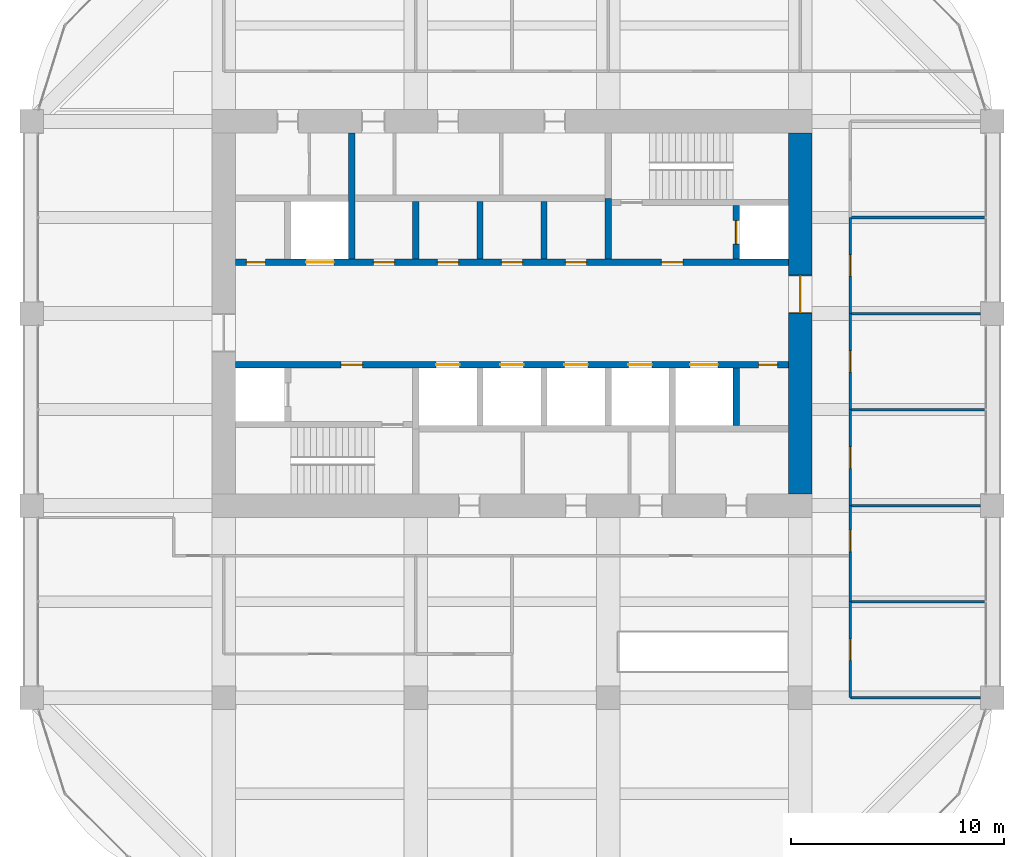
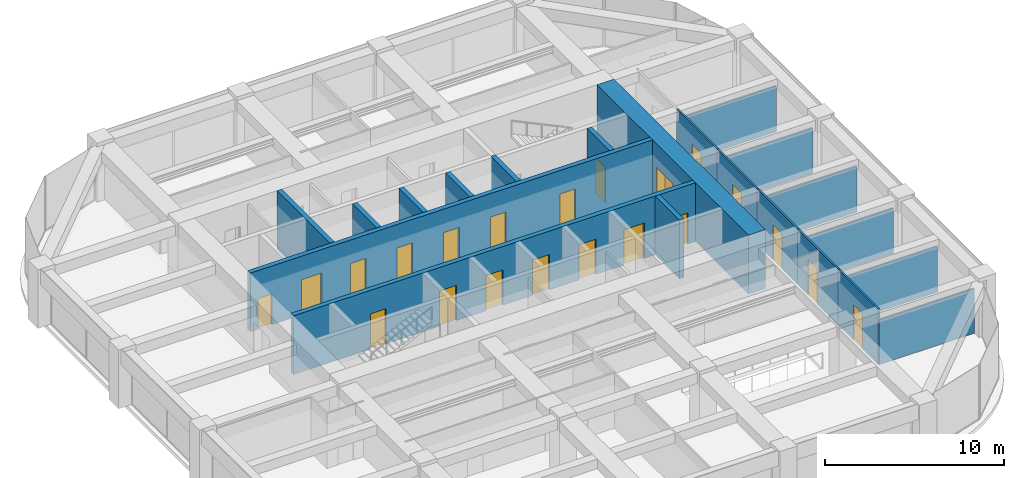
# One storey, part 42 of 44: 21 doors, 21 walls, 21 openings.
"""IFC4 building model written with IfcOpenShell, lengths in metres."""

from ifc_helpers import new_model, si_unit, direction, frame, frame_2d, origin, place, context, subcontext, project, spatial, rectangle, extrude, material, layer, layer_set, type_object, element, fill, save


model = new_model("IFC4")

# Units and contexts
model_context = context("Model", 3, precision=1e-05, world=origin(), true_north=direction((0.0, 1.0)))
body_context = subcontext(model_context, "Body", "Model", "MODEL_VIEW")
ifc_project = project(units=[si_unit("LENGTHUNIT", "METRE"), si_unit("AREAUNIT", "SQUARE_METRE"), si_unit("VOLUMEUNIT", "CUBIC_METRE"), si_unit("PLANEANGLEUNIT", "RADIAN"), si_unit("MASSUNIT", "GRAM", prefix="KILO")], contexts=[model_context])

# Site, building, storey
site_placement = place(None, origin())
site = spatial("IfcSite", under=ifc_project, at=site_placement, CompositionType="ELEMENT")
building_placement = place(site_placement, origin())
building = spatial("IfcBuilding", under=site, at=building_placement, Name="Zorevar Civic Tower", CompositionType="ELEMENT")
storey_placement = place(building_placement, frame((0.0, 0.0, 255.39990234375)))
storey = spatial("IfcBuildingStorey", under=building, at=storey_placement, Name="L62", CompositionType="ELEMENT", Elevation=255.39990234375)

# Wall, opening, door
ifc_material_1 = material(Name="Concrete C50/60", Category="concrete")
ifc_layer_1 = layer(ifc_material_1, 1.10009765625)
ifc_layer_set_1 = layer_set([ifc_layer_1], Name="Core wall 1100")
wall_type_1 = type_object("IfcWallType", Name="Core wall 1100", PredefinedType="SHEAR", material=ifc_layer_set_1)
wall_1_placement = place(storey_placement, frame((45.0, 18.550048828125, 0.0), z_axis=(0.0, 0.0, 1.0), x_axis=(0.0, 1.0, 0.0)))
wall_1 = element("IfcWall", 1, at=wall_1_placement, inside=storey, type_object=wall_type_1, Name="Core wall E L62", PredefinedType="SHEAR", context=body_context, shape_type="SweptSolid", body=[
    extrude(rectangle(XDim=16.89990234375, YDim=1.10009765625, at=frame_2d((8.449951171875, 0.0))), origin(), (0.0, 0.0, 1.0), 4.0),
])
opening_1_placement = place(wall_1_placement, frame((8.449951171875, 0.0, 0.0)))
opening_1 = element("IfcOpeningElement", 2, at=opening_1_placement, cuts=wall_1, Name="Opening L62.02", PredefinedType="OPENING", context=body_context, shape_type="SweptSolid", body=[
    extrude(rectangle(XDim=1.800048828125, YDim=2.39990234375, at=frame_2d((0.89990234375, 1.199951171875))), frame((0.0, 0.56005859375, 0.0), z_axis=(0.0, -1.0, 0.0), x_axis=(1.0, 0.0, 0.0)), (0.0, 0.0, 1.0), 1.1201171875),
])
ifc_material_2 = material(Name="Steel door set", Category="steel")
door_type_1 = type_object("IfcDoorType", Name="Fire door FD2 1800x2400", OperationType="DOUBLE_DOOR_DOUBLE_SWING", PredefinedType="DOOR", material=ifc_material_2)
door_1_placement = place(opening_1_placement, origin())
door_1 = element("IfcDoor", 3, at=door_1_placement, inside=storey, type_object=door_type_1, Name="Door L62 01", OperationType="DOUBLE_DOOR_DOUBLE_SWING", OverallHeight=2.39990234375, OverallWidth=1.800048828125, PredefinedType="DOOR", context=body_context, shape_type="SweptSolid", body=[
    extrude(rectangle(XDim=1.800048828125, YDim=2.39990234375, at=frame_2d((0.89990234375, 1.199951171875))), frame((0.0, 0.030029296875, 0.0), z_axis=(0.0, -1.0, 0.0), x_axis=(1.0, 0.0, 0.0)), (0.0, 0.0, 1.0), 0.06005859375),
    extrude(rectangle(XDim=0.04, YDim=2.39990234375, at=frame_2d((0.02001953125, 1.199951171875))), frame((0.0, 0.5498046875, 0.0), z_axis=(0.0, -1.0, 0.0), x_axis=(1.0, 0.0, 0.0)), (0.0, 0.0, 1.0), 1.099609375),
    extrude(rectangle(XDim=0.04, YDim=2.39990234375, at=frame_2d((1.780029296875, 1.199951171875))), frame((0.0, 0.5498046875, 0.0), z_axis=(0.0, -1.0, 0.0), x_axis=(1.0, 0.0, 0.0)), (0.0, 0.0, 1.0), 1.099609375),
    extrude(rectangle(XDim=1.800048828125, YDim=0.04, at=frame_2d((0.89990234375, 2.3798828125))), frame((0.0, 0.5498046875, 0.0), z_axis=(0.0, -1.0, 0.0), x_axis=(1.0, 0.0, 0.0)), (0.0, 0.0, 1.0), 1.099609375),
])
fill(opening_1, door_1)

ifc_material_3 = material(Name="Concrete C40/50", Category="concrete")
ifc_layer_2 = layer(ifc_material_3, 0.300048828125)
ifc_layer_set_2 = layer_set([ifc_layer_2], Name="Inner core wall 300")
wall_type_2 = type_object("IfcWallType", Name="Inner core wall 300", PredefinedType="SHEAR", material=ifc_layer_set_2)
wall_2_placement = place(storey_placement, frame((42.0, 29.550048828125, 0.0), z_axis=(0.0, 0.0, 1.0), x_axis=(0.0, 1.0, 0.0)))
wall_2 = element("IfcWall", 4, at=wall_2_placement, inside=storey, type_object=wall_type_2, Name="Inner core wall N02 L62", PredefinedType="SHEAR", context=body_context, shape_type="SweptSolid", body=[
    extrude(rectangle(XDim=2.5, YDim=0.300048828125, at=frame_2d((1.25, 0.0))), origin(), (0.0, 0.0, 1.0), 4.0),
])
opening_2_placement = place(wall_2_placement, frame((0.699951171875, 0.0, 0.0)))
opening_2 = element("IfcOpeningElement", 5, at=opening_2_placement, cuts=wall_2, Name="Opening L62.FL2", PredefinedType="OPENING", context=body_context, shape_type="SweptSolid", body=[
    extrude(rectangle(XDim=1.10009765625, YDim=2.39990234375, at=frame_2d((0.550048828125, 1.199951171875))), frame((0.0, 0.159912109375, 0.0), z_axis=(0.0, -1.0, 0.0), x_axis=(1.0, 0.0, 0.0)), (0.0, 0.0, 1.0), 0.320068359375),
])
ifc_material_4 = material(Name="Steel door set", Category="steel")
door_type_2 = type_object("IfcDoorType", Name="Firefighting lift landing door LD3 1100x2400", OperationType="DOUBLE_DOOR_SLIDING", PredefinedType="DOOR", material=ifc_material_4)
door_2_placement = place(opening_2_placement, origin())
door_2 = element("IfcDoor", 6, at=door_2_placement, inside=storey, type_object=door_type_2, Name="Landing door FL2 L62", OperationType="DOUBLE_DOOR_SLIDING", OverallHeight=2.39990234375, OverallWidth=1.10009765625, PredefinedType="DOOR", context=body_context, shape_type="SweptSolid", body=[
    extrude(rectangle(XDim=1.10009765625, YDim=2.39990234375, at=frame_2d((0.550048828125, 1.199951171875))), frame((0.0, 0.030029296875, 0.0), z_axis=(0.0, -1.0, 0.0), x_axis=(1.0, 0.0, 0.0)), (0.0, 0.0, 1.0), 0.06005859375),
])
fill(opening_2, door_2)

# Wall, openings, doors
wall_3_placement = place(storey_placement, frame((18.550048828125, 24.60009765625, 0.0), z_axis=(0.0, 0.0, 1.0), x_axis=(1.0, 0.0, 0.0)))
wall_3 = element("IfcWall", 7, at=wall_3_placement, inside=storey, type_object=wall_type_2, Name="Inner core wall S03 L62", PredefinedType="SHEAR", context=body_context, shape_type="SweptSolid", body=[
    extrude(rectangle(XDim=25.89990234375, YDim=0.300048828125, at=frame_2d((12.949951171875, 0.0))), origin(), (0.0, 0.0, 1.0), 4.0),
])
opening_3_placement = place(wall_3_placement, frame((4.949951171875, 0.0, 0.0)))
opening_3 = element("IfcOpeningElement", 8, at=opening_3_placement, cuts=wall_3, Name="Opening L62.13", PredefinedType="OPENING", context=body_context, shape_type="SweptSolid", body=[
    extrude(rectangle(XDim=1.0, YDim=2.39990234375, at=frame_2d((0.5, 1.199951171875))), frame((0.0, 0.159912109375, 0.0), z_axis=(0.0, -1.0, 0.0), x_axis=(1.0, 0.0, 0.0)), (0.0, 0.0, 1.0), 0.320068359375),
])
opening_4_placement = place(wall_3_placement, frame((24.5, 0.0, 0.0)))
opening_4 = element("IfcOpeningElement", 9, at=opening_4_placement, cuts=wall_3, Name="Opening L62.15", PredefinedType="OPENING", context=body_context, shape_type="SweptSolid", body=[
    extrude(rectangle(XDim=0.89990234375, YDim=2.10009765625, at=frame_2d((0.449951171875, 1.050048828125))), frame((0.0, 0.159912109375, 0.0), z_axis=(0.0, -1.0, 0.0), x_axis=(1.0, 0.0, 0.0)), (0.0, 0.0, 1.0), 0.320068359375),
])
opening_5_placement = place(wall_3_placement, frame((9.39990234375, 0.0, 0.0)))
opening_5 = element("IfcOpeningElement", 10, at=opening_5_placement, cuts=wall_3, Name="Opening L62.LT1", PredefinedType="OPENING", context=body_context, shape_type="SweptSolid", body=[
    extrude(rectangle(XDim=1.10009765625, YDim=2.39990234375, at=frame_2d((0.550048828125, 1.199951171875))), frame((0.0, 0.159912109375, 0.0), z_axis=(0.0, -1.0, 0.0), x_axis=(1.0, 0.0, 0.0)), (0.0, 0.0, 1.0), 0.320068359375),
])
opening_6_placement = place(wall_3_placement, frame((12.39990234375, 0.0, 0.0)))
opening_6 = element("IfcOpeningElement", 11, at=opening_6_placement, cuts=wall_3, Name="Opening L62.LT2", PredefinedType="OPENING", context=body_context, shape_type="SweptSolid", body=[
    extrude(rectangle(XDim=1.10009765625, YDim=2.39990234375, at=frame_2d((0.550048828125, 1.199951171875))), frame((0.0, 0.159912109375, 0.0), z_axis=(0.0, -1.0, 0.0), x_axis=(1.0, 0.0, 0.0)), (0.0, 0.0, 1.0), 0.320068359375),
])
opening_7_placement = place(wall_3_placement, frame((15.39990234375, 0.0, 0.0)))
opening_7 = element("IfcOpeningElement", 12, at=opening_7_placement, cuts=wall_3, Name="Opening L62.LT3", PredefinedType="OPENING", context=body_context, shape_type="SweptSolid", body=[
    extrude(rectangle(XDim=1.10009765625, YDim=2.39990234375, at=frame_2d((0.550048828125, 1.199951171875))), frame((0.0, 0.159912109375, 0.0), z_axis=(0.0, -1.0, 0.0), x_axis=(1.0, 0.0, 0.0)), (0.0, 0.0, 1.0), 0.320068359375),
])
opening_8_placement = place(wall_3_placement, frame((18.39990234375, 0.0, 0.0)))
opening_8 = element("IfcOpeningElement", 13, at=opening_8_placement, cuts=wall_3, Name="Opening L62.LT4", PredefinedType="OPENING", context=body_context, shape_type="SweptSolid", body=[
    extrude(rectangle(XDim=1.10009765625, YDim=2.39990234375, at=frame_2d((0.550048828125, 1.199951171875))), frame((0.0, 0.159912109375, 0.0), z_axis=(0.0, -1.0, 0.0), x_axis=(1.0, 0.0, 0.0)), (0.0, 0.0, 1.0), 0.320068359375),
])
opening_9_placement = place(wall_3_placement, frame((21.300048828125, 0.0, 0.0)))
opening_9 = element("IfcOpeningElement", 14, at=opening_9_placement, cuts=wall_3, Name="Opening L62.SL1", PredefinedType="OPENING", context=body_context, shape_type="SweptSolid", body=[
    extrude(rectangle(XDim=1.300048828125, YDim=2.39990234375, at=frame_2d((0.64990234375, 1.199951171875))), frame((0.0, 0.159912109375, 0.0), z_axis=(0.0, -1.0, 0.0), x_axis=(1.0, 0.0, 0.0)), (0.0, 0.0, 1.0), 0.320068359375),
])
ifc_material_5 = material(Name="Steel door set", Category="steel")
door_type_3 = type_object("IfcDoorType", Name="Fire door FD1 1000x2400", OperationType="SINGLE_SWING_LEFT", PredefinedType="DOOR", material=ifc_material_5)
door_3_placement = place(opening_3_placement, origin())
door_3 = element("IfcDoor", 15, at=door_3_placement, inside=storey, type_object=door_type_3, Name="Door L62 12", OperationType="SINGLE_SWING_RIGHT", OverallHeight=2.39990234375, OverallWidth=1.0, PredefinedType="DOOR", context=body_context, shape_type="SweptSolid", body=[
    extrude(rectangle(XDim=1.0, YDim=2.39990234375, at=frame_2d((0.5, 1.199951171875))), frame((0.0, 0.030029296875, 0.0), z_axis=(0.0, -1.0, 0.0), x_axis=(1.0, 0.0, 0.0)), (0.0, 0.0, 1.0), 0.06005859375),
])
fill(opening_3, door_3)
ifc_material_6 = material(Name="Steel door set", Category="steel")
door_type_4 = type_object("IfcDoorType", Name="Landing door LD1 1100x2400", OperationType="DOUBLE_DOOR_SLIDING", PredefinedType="DOOR", material=ifc_material_6)
door_4_placement = place(opening_5_placement, origin())
door_4 = element("IfcDoor", 16, at=door_4_placement, inside=storey, type_object=door_type_4, Name="Landing door LT1 L62", OperationType="DOUBLE_DOOR_SLIDING", OverallHeight=2.39990234375, OverallWidth=1.10009765625, PredefinedType="DOOR", context=body_context, shape_type="SweptSolid", body=[
    extrude(rectangle(XDim=1.10009765625, YDim=2.39990234375, at=frame_2d((0.550048828125, 1.199951171875))), frame((0.0, 0.02001953125, 0.0), z_axis=(0.0, -1.0, 0.0), x_axis=(1.0, 0.0, 0.0)), (0.0, 0.0, 1.0), 0.0400390625),
])
fill(opening_5, door_4)
door_5_placement = place(opening_6_placement, origin())
door_5 = element("IfcDoor", 17, at=door_5_placement, inside=storey, type_object=door_type_4, Name="Landing door LT2 L62", OperationType="DOUBLE_DOOR_SLIDING", OverallHeight=2.39990234375, OverallWidth=1.10009765625, PredefinedType="DOOR", context=body_context, shape_type="SweptSolid", body=[
    extrude(rectangle(XDim=1.10009765625, YDim=2.39990234375, at=frame_2d((0.550048828125, 1.199951171875))), frame((0.0, 0.02001953125, 0.0), z_axis=(0.0, -1.0, 0.0), x_axis=(1.0, 0.0, 0.0)), (0.0, 0.0, 1.0), 0.0400390625),
])
fill(opening_6, door_5)
door_6_placement = place(opening_7_placement, origin())
door_6 = element("IfcDoor", 18, at=door_6_placement, inside=storey, type_object=door_type_4, Name="Landing door LT3 L62", OperationType="DOUBLE_DOOR_SLIDING", OverallHeight=2.39990234375, OverallWidth=1.10009765625, PredefinedType="DOOR", context=body_context, shape_type="SweptSolid", body=[
    extrude(rectangle(XDim=1.10009765625, YDim=2.39990234375, at=frame_2d((0.550048828125, 1.199951171875))), frame((0.0, 0.02001953125, 0.0), z_axis=(0.0, -1.0, 0.0), x_axis=(1.0, 0.0, 0.0)), (0.0, 0.0, 1.0), 0.0400390625),
])
fill(opening_7, door_6)
door_7_placement = place(opening_8_placement, origin())
door_7 = element("IfcDoor", 19, at=door_7_placement, inside=storey, type_object=door_type_4, Name="Landing door LT4 L62", OperationType="DOUBLE_DOOR_SLIDING", OverallHeight=2.39990234375, OverallWidth=1.10009765625, PredefinedType="DOOR", context=body_context, shape_type="SweptSolid", body=[
    extrude(rectangle(XDim=1.10009765625, YDim=2.39990234375, at=frame_2d((0.550048828125, 1.199951171875))), frame((0.0, 0.02001953125, 0.0), z_axis=(0.0, -1.0, 0.0), x_axis=(1.0, 0.0, 0.0)), (0.0, 0.0, 1.0), 0.0400390625),
])
fill(opening_8, door_7)
ifc_material_7 = material(Name="Steel door set", Category="steel")
door_type_5 = type_object("IfcDoorType", Name="Landing door LD2 1300x2400", OperationType="DOUBLE_DOOR_SLIDING", PredefinedType="DOOR", material=ifc_material_7)
door_8_placement = place(opening_9_placement, origin())
door_8 = element("IfcDoor", 20, at=door_8_placement, inside=storey, type_object=door_type_5, Name="Landing door SL1 L62", OperationType="DOUBLE_DOOR_SLIDING", OverallHeight=2.39990234375, OverallWidth=1.300048828125, PredefinedType="DOOR", context=body_context, shape_type="SweptSolid", body=[
    extrude(rectangle(XDim=1.300048828125, YDim=2.39990234375, at=frame_2d((0.64990234375, 1.199951171875))), frame((0.0, 0.02001953125, 0.0), z_axis=(0.0, -1.0, 0.0), x_axis=(1.0, 0.0, 0.0)), (0.0, 0.0, 1.0), 0.0400390625),
])
fill(opening_9, door_8)
ifc_material_8 = material(Name="Steel door set", Category="steel")
door_type_6 = type_object("IfcDoorType", Name="Riser door RD1 900x2100", OperationType="SINGLE_SWING_LEFT", PredefinedType="DOOR", material=ifc_material_8)
door_9_placement = place(opening_4_placement, origin())
door_9 = element("IfcDoor", 21, at=door_9_placement, inside=storey, type_object=door_type_6, Name="Door L62 14", OperationType="SINGLE_SWING_RIGHT", OverallHeight=2.10009765625, OverallWidth=0.89990234375, PredefinedType="DOOR", context=body_context, shape_type="SweptSolid", body=[
    extrude(rectangle(XDim=0.89990234375, YDim=2.10009765625, at=frame_2d((0.449951171875, 1.050048828125))), frame((0.0, 0.030029296875, 0.0), z_axis=(0.0, -1.0, 0.0), x_axis=(1.0, 0.0, 0.0)), (0.0, 0.0, 1.0), 0.06005859375),
])
fill(opening_4, door_9)

wall_4_placement = place(storey_placement, frame((18.550048828125, 29.39990234375, 0.0), z_axis=(0.0, 0.0, 1.0), x_axis=(1.0, 0.0, 0.0)))
wall_4 = element("IfcWall", 22, at=wall_4_placement, inside=storey, type_object=wall_type_2, Name="Inner core wall N03 L62", PredefinedType="SHEAR", context=body_context, shape_type="SweptSolid", body=[
    extrude(rectangle(XDim=25.89990234375, YDim=0.300048828125, at=frame_2d((12.949951171875, 0.0))), origin(), (0.0, 0.0, 1.0), 4.0),
])
opening_10_placement = place(wall_4_placement, frame((19.949951171875, 0.0, 0.0)))
opening_10 = element("IfcOpeningElement", 23, at=opening_10_placement, cuts=wall_4, Name="Opening L62.14", PredefinedType="OPENING", context=body_context, shape_type="SweptSolid", body=[
    extrude(rectangle(XDim=1.0, YDim=2.39990234375, at=frame_2d((0.5, 1.199951171875))), frame((0.0, 0.159912109375, 0.0), z_axis=(0.0, -1.0, 0.0), x_axis=(1.0, 0.0, 0.0)), (0.0, 0.0, 1.0), 0.320068359375),
])
opening_11_placement = place(wall_4_placement, frame((0.5, 0.0, 0.0)))
opening_11 = element("IfcOpeningElement", 24, at=opening_11_placement, cuts=wall_4, Name="Opening L62.16", PredefinedType="OPENING", context=body_context, shape_type="SweptSolid", body=[
    extrude(rectangle(XDim=0.89990234375, YDim=2.10009765625, at=frame_2d((0.449951171875, 1.050048828125))), frame((0.0, 0.159912109375, 0.0), z_axis=(0.0, -1.0, 0.0), x_axis=(1.0, 0.0, 0.0)), (0.0, 0.0, 1.0), 0.320068359375),
])
opening_12_placement = place(wall_4_placement, frame((15.449951171875, 0.0, 0.0)))
opening_12 = element("IfcOpeningElement", 25, at=opening_12_placement, cuts=wall_4, Name="Opening L62.33", PredefinedType="OPENING", context=body_context, shape_type="SweptSolid", body=[
    extrude(rectangle(XDim=1.0, YDim=2.39990234375, at=frame_2d((0.5, 1.199951171875))), frame((0.0, 0.159912109375, 0.0), z_axis=(0.0, -1.0, 0.0), x_axis=(1.0, 0.0, 0.0)), (0.0, 0.0, 1.0), 0.320068359375),
])
opening_13_placement = place(wall_4_placement, frame((12.449951171875, 0.0, 0.0)))
opening_13 = element("IfcOpeningElement", 26, at=opening_13_placement, cuts=wall_4, Name="Opening L62.34", PredefinedType="OPENING", context=body_context, shape_type="SweptSolid", body=[
    extrude(rectangle(XDim=1.0, YDim=2.39990234375, at=frame_2d((0.5, 1.199951171875))), frame((0.0, 0.159912109375, 0.0), z_axis=(0.0, -1.0, 0.0), x_axis=(1.0, 0.0, 0.0)), (0.0, 0.0, 1.0), 0.320068359375),
])
opening_14_placement = place(wall_4_placement, frame((9.449951171875, 0.0, 0.0)))
opening_14 = element("IfcOpeningElement", 27, at=opening_14_placement, cuts=wall_4, Name="Opening L62.35", PredefinedType="OPENING", context=body_context, shape_type="SweptSolid", body=[
    extrude(rectangle(XDim=1.0, YDim=2.39990234375, at=frame_2d((0.5, 1.199951171875))), frame((0.0, 0.159912109375, 0.0), z_axis=(0.0, -1.0, 0.0), x_axis=(1.0, 0.0, 0.0)), (0.0, 0.0, 1.0), 0.320068359375),
])
opening_15_placement = place(wall_4_placement, frame((6.449951171875, 0.0, 0.0)))
opening_15 = element("IfcOpeningElement", 28, at=opening_15_placement, cuts=wall_4, Name="Opening L62.36", PredefinedType="OPENING", context=body_context, shape_type="SweptSolid", body=[
    extrude(rectangle(XDim=1.0, YDim=2.39990234375, at=frame_2d((0.5, 1.199951171875))), frame((0.0, 0.159912109375, 0.0), z_axis=(0.0, -1.0, 0.0), x_axis=(1.0, 0.0, 0.0)), (0.0, 0.0, 1.0), 0.320068359375),
])
opening_16_placement = place(wall_4_placement, frame((3.300048828125, 0.0, 0.0)))
opening_16 = element("IfcOpeningElement", 29, at=opening_16_placement, cuts=wall_4, Name="Opening L62.SL2", PredefinedType="OPENING", context=body_context, shape_type="SweptSolid", body=[
    extrude(rectangle(XDim=1.300048828125, YDim=2.39990234375, at=frame_2d((0.64990234375, 1.199951171875))), frame((0.0, 0.159912109375, 0.0), z_axis=(0.0, -1.0, 0.0), x_axis=(1.0, 0.0, 0.0)), (0.0, 0.0, 1.0), 0.320068359375),
])
door_10_placement = place(opening_10_placement, origin())
door_10 = element("IfcDoor", 30, at=door_10_placement, inside=storey, type_object=door_type_3, Name="Door L62 13", OperationType="SINGLE_SWING_RIGHT", OverallHeight=2.39990234375, OverallWidth=1.0, PredefinedType="DOOR", context=body_context, shape_type="SweptSolid", body=[
    extrude(rectangle(XDim=1.0, YDim=2.39990234375, at=frame_2d((0.5, 1.199951171875))), frame((0.0, 0.030029296875, 0.0), z_axis=(0.0, -1.0, 0.0), x_axis=(1.0, 0.0, 0.0)), (0.0, 0.0, 1.0), 0.06005859375),
])
fill(opening_10, door_10)
door_11_placement = place(opening_12_placement, origin())
door_11 = element("IfcDoor", 31, at=door_11_placement, inside=storey, type_object=door_type_3, Name="Door L62 LM1 shaft room", OperationType="SINGLE_SWING_LEFT", OverallHeight=2.39990234375, OverallWidth=1.0, PredefinedType="DOOR", context=body_context, shape_type="SweptSolid", body=[
    extrude(rectangle(XDim=1.0, YDim=2.39990234375, at=frame_2d((0.5, 1.199951171875))), frame((0.0, 0.030029296875, 0.0), z_axis=(0.0, -1.0, 0.0), x_axis=(1.0, 0.0, 0.0)), (0.0, 0.0, 1.0), 0.06005859375),
])
fill(opening_12, door_11)
door_12_placement = place(opening_13_placement, origin())
door_12 = element("IfcDoor", 32, at=door_12_placement, inside=storey, type_object=door_type_3, Name="Door L62 LM2 shaft room", OperationType="SINGLE_SWING_LEFT", OverallHeight=2.39990234375, OverallWidth=1.0, PredefinedType="DOOR", context=body_context, shape_type="SweptSolid", body=[
    extrude(rectangle(XDim=1.0, YDim=2.39990234375, at=frame_2d((0.5, 1.199951171875))), frame((0.0, 0.030029296875, 0.0), z_axis=(0.0, -1.0, 0.0), x_axis=(1.0, 0.0, 0.0)), (0.0, 0.0, 1.0), 0.06005859375),
])
fill(opening_13, door_12)
door_13_placement = place(opening_14_placement, origin())
door_13 = element("IfcDoor", 33, at=door_13_placement, inside=storey, type_object=door_type_3, Name="Door L62 LH1 shaft room", OperationType="SINGLE_SWING_RIGHT", OverallHeight=2.39990234375, OverallWidth=1.0, PredefinedType="DOOR", context=body_context, shape_type="SweptSolid", body=[
    extrude(rectangle(XDim=1.0, YDim=2.39990234375, at=frame_2d((0.5, 1.199951171875))), frame((0.0, 0.030029296875, 0.0), z_axis=(0.0, -1.0, 0.0), x_axis=(1.0, 0.0, 0.0)), (0.0, 0.0, 1.0), 0.06005859375),
])
fill(opening_14, door_13)
door_14_placement = place(opening_15_placement, origin())
door_14 = element("IfcDoor", 34, at=door_14_placement, inside=storey, type_object=door_type_3, Name="Door L62 LH2 shaft room", OperationType="SINGLE_SWING_RIGHT", OverallHeight=2.39990234375, OverallWidth=1.0, PredefinedType="DOOR", context=body_context, shape_type="SweptSolid", body=[
    extrude(rectangle(XDim=1.0, YDim=2.39990234375, at=frame_2d((0.5, 1.199951171875))), frame((0.0, 0.030029296875, 0.0), z_axis=(0.0, -1.0, 0.0), x_axis=(1.0, 0.0, 0.0)), (0.0, 0.0, 1.0), 0.06005859375),
])
fill(opening_15, door_14)
door_15_placement = place(opening_16_placement, origin())
door_15 = element("IfcDoor", 35, at=door_15_placement, inside=storey, type_object=door_type_5, Name="Landing door SL2 L62", OperationType="DOUBLE_DOOR_SLIDING", OverallHeight=2.39990234375, OverallWidth=1.300048828125, PredefinedType="DOOR", context=body_context, shape_type="SweptSolid", body=[
    extrude(rectangle(XDim=1.300048828125, YDim=2.39990234375, at=frame_2d((0.64990234375, 1.199951171875))), frame((0.0, 0.02001953125, 0.0), z_axis=(0.0, -1.0, 0.0), x_axis=(1.0, 0.0, 0.0)), (0.0, 0.0, 1.0), 0.0400390625),
])
fill(opening_16, door_15)
door_16_placement = place(opening_11_placement, origin())
door_16 = element("IfcDoor", 36, at=door_16_placement, inside=storey, type_object=door_type_6, Name="Door L62 15", OperationType="SINGLE_SWING_RIGHT", OverallHeight=2.10009765625, OverallWidth=0.89990234375, PredefinedType="DOOR", context=body_context, shape_type="SweptSolid", body=[
    extrude(rectangle(XDim=0.89990234375, YDim=2.10009765625, at=frame_2d((0.449951171875, 1.050048828125))), frame((0.0, 0.030029296875, 0.0), z_axis=(0.0, -1.0, 0.0), x_axis=(1.0, 0.0, 0.0)), (0.0, 0.0, 1.0), 0.06005859375),
])
fill(opening_11, door_16)

# Walls
for number, where, z_axis, x_axis, name in (
    (37, (33.0, 29.550048828125, 0.0), (0.0, 0.0, 1.0), (0.0, 1.0, 0.0), "Inner core wall N05 L62"),
    (38, (30.0, 29.550048828125, 0.0), (0.0, 0.0, 1.0), (0.0, 1.0, 0.0), "Inner core wall N06 L62"),
    (39, (27.0, 29.550048828125, 0.0), (0.0, 0.0, 1.0), (0.0, 1.0, 0.0), "Inner core wall N07 L62"),
):
    element("IfcWall", number, at=place(storey_placement, frame(where, z_axis=z_axis, x_axis=x_axis)), inside=storey, type_object=wall_type_2, Name=name, PredefinedType="SHEAR", context=body_context, shape_type="SweptSolid", body=[
        extrude(rectangle(XDim=2.699951171875, YDim=0.300048828125, at=frame_2d((1.35009765625, 0.0))), origin(), (0.0, 0.0, 1.0), 4.0),
    ])
wall_5_placement = place(storey_placement, frame((24.0, 29.550048828125, 0.0), z_axis=(0.0, 0.0, 1.0), x_axis=(0.0, 1.0, 0.0)))
element("IfcWall", 40, at=wall_5_placement, inside=storey, type_object=wall_type_2, Name="Inner core wall N08 L62", PredefinedType="SHEAR", context=body_context, shape_type="SweptSolid", body=[
    extrude(rectangle(XDim=5.89990234375, YDim=0.300048828125, at=frame_2d((2.949951171875, 0.0))), origin(), (0.0, 0.0, 1.0), 4.0),
])
wall_6_placement = place(storey_placement, frame((42.0, 21.75, 0.0), z_axis=(0.0, 0.0, 1.0), x_axis=(0.0, 1.0, 0.0)))
element("IfcWall", 41, at=wall_6_placement, inside=storey, type_object=wall_type_2, Name="Inner core wall S09 L62", PredefinedType="SHEAR", context=body_context, shape_type="SweptSolid", body=[
    extrude(rectangle(XDim=2.699951171875, YDim=0.300048828125, at=frame_2d((1.35009765625, 0.0))), origin(), (0.0, 0.0, 1.0), 4.0),
])
wall_7_placement = place(storey_placement, frame((36.0, 29.550048828125, 0.0), z_axis=(0.0, 0.0, 1.0), x_axis=(0.0, 1.0, 0.0)))
element("IfcWall", 42, at=wall_7_placement, inside=storey, type_object=wall_type_2, Name="Inner core wall N10 L62", PredefinedType="SHEAR", context=body_context, shape_type="SweptSolid", body=[
    extrude(rectangle(XDim=2.849853515625, YDim=0.300048828125, at=frame_2d((1.4248046875, 0.0))), origin(), (0.0, 0.0, 1.0), 4.0),
])
ifc_material_9 = material(Name="Gypsum board on steel studs", Category="steel")
ifc_layer_3 = layer(ifc_material_9, 0.1201171875)
ifc_layer_set_3 = layer_set([ifc_layer_3], Name="Partition 120")
wall_type_3 = type_object("IfcWallType", Name="Partition 120", PredefinedType="PARTITIONING", material=ifc_layer_set_3)
wall_8_placement = place(storey_placement, frame((47.35009765625, 9.0, 0.0), z_axis=(0.0, 0.0, 1.0), x_axis=(1.0, 0.0, 0.0)))
element("IfcWall", 43, at=wall_8_placement, inside=storey, type_object=wall_type_3, Name="Partition 120 L62", PredefinedType="PARTITIONING", context=body_context, shape_type="SweptSolid", body=[
    extrude(rectangle(XDim=6.099853515625, YDim=0.1201171875, at=frame_2d((3.0498046875, 0.0))), origin(), (0.0, 0.0, 1.0), 3.050048828125),
])
wall_9_placement = place(storey_placement, frame((47.35009765625, 13.5, 0.0), z_axis=(0.0, 0.0, 1.0), x_axis=(1.0, 0.0, 0.0)))
element("IfcWall", 44, at=wall_9_placement, inside=storey, type_object=wall_type_3, Name="Partition 120 L62", PredefinedType="PARTITIONING", context=body_context, shape_type="SweptSolid", body=[
    extrude(rectangle(XDim=6.33984375, YDim=0.1201171875, at=frame_2d((3.169921875, 0.0))), origin(), (0.0, 0.0, 1.0), 3.10009765625),
])
wall_10_placement = place(storey_placement, frame((47.35009765625, 18.0, 0.0), z_axis=(0.0, 0.0, 1.0), x_axis=(1.0, 0.0, 0.0)))
element("IfcWall", 45, at=wall_10_placement, inside=storey, type_object=wall_type_3, Name="Partition 120 L62", PredefinedType="PARTITIONING", context=body_context, shape_type="SweptSolid", body=[
    extrude(rectangle(XDim=6.099853515625, YDim=0.1201171875, at=frame_2d((3.0498046875, 0.0))), origin(), (0.0, 0.0, 1.0), 3.050048828125),
])
wall_11_placement = place(storey_placement, frame((47.35009765625, 22.5, 0.0), z_axis=(0.0, 0.0, 1.0), x_axis=(1.0, 0.0, 0.0)))
element("IfcWall", 46, at=wall_11_placement, inside=storey, type_object=wall_type_3, Name="Partition 120 L62", PredefinedType="PARTITIONING", context=body_context, shape_type="SweptSolid", body=[
    extrude(rectangle(XDim=6.33984375, YDim=0.1201171875, at=frame_2d((3.169921875, 0.0))), origin(), (0.0, 0.0, 1.0), 3.10009765625),
])
wall_12_placement = place(storey_placement, frame((47.35009765625, 27.0, 0.0), z_axis=(0.0, 0.0, 1.0), x_axis=(1.0, 0.0, 0.0)))
element("IfcWall", 47, at=wall_12_placement, inside=storey, type_object=wall_type_3, Name="Partition 120 L62", PredefinedType="PARTITIONING", context=body_context, shape_type="SweptSolid", body=[
    extrude(rectangle(XDim=6.099853515625, YDim=0.1201171875, at=frame_2d((3.0498046875, 0.0))), origin(), (0.0, 0.0, 1.0), 3.050048828125),
])
wall_13_placement = place(storey_placement, frame((47.35009765625, 31.5, 0.0), z_axis=(0.0, 0.0, 1.0), x_axis=(1.0, 0.0, 0.0)))
element("IfcWall", 48, at=wall_13_placement, inside=storey, type_object=wall_type_3, Name="Partition 120 L62", PredefinedType="PARTITIONING", context=body_context, shape_type="SweptSolid", body=[
    extrude(rectangle(XDim=6.33984375, YDim=0.1201171875, at=frame_2d((3.169921875, 0.0))), origin(), (0.0, 0.0, 1.0), 3.10009765625),
])

# Wall, opening, door
wall_14_placement = place(storey_placement, frame((47.35009765625, 9.0, 0.0), z_axis=(0.0, 0.0, 1.0), x_axis=(0.0, 1.0, 0.0)))
wall_14 = element("IfcWall", 49, at=wall_14_placement, inside=storey, type_object=wall_type_3, Name="Partition 120 L62", PredefinedType="PARTITIONING", context=body_context, shape_type="SweptSolid", body=[
    extrude(rectangle(XDim=4.5, YDim=0.1201171875, at=frame_2d((2.25, 0.0))), origin(), (0.0, 0.0, 1.0), 3.75),
])
opening_17_placement = place(wall_14_placement, frame((1.75, 0.0, 0.0)))
opening_17 = element("IfcOpeningElement", 50, at=opening_17_placement, cuts=wall_14, Name="Opening L62.26", PredefinedType="OPENING", context=body_context, shape_type="SweptSolid", body=[
    extrude(rectangle(XDim=1.0, YDim=2.39990234375, at=frame_2d((0.5, 1.199951171875))), frame((0.0, 0.070068359375, 0.0), z_axis=(0.0, -1.0, 0.0), x_axis=(1.0, 0.0, 0.0)), (0.0, 0.0, 1.0), 0.14013671875),
])
ifc_material_10 = material(Name="Timber door set", Category="wood")
door_type_7 = type_object("IfcDoorType", Name="Door D1 1000x2400", OperationType="SINGLE_SWING_LEFT", PredefinedType="DOOR", material=ifc_material_10)
door_17_placement = place(opening_17_placement, origin())
door_17 = element("IfcDoor", 51, at=door_17_placement, inside=storey, type_object=door_type_7, Name="Door L62 D1", OperationType="SINGLE_SWING_LEFT", OverallHeight=2.39990234375, OverallWidth=1.0, PredefinedType="DOOR", context=body_context, shape_type="SweptSolid", body=[
    extrude(rectangle(XDim=1.0, YDim=2.39990234375, at=frame_2d((0.5, 1.199951171875))), frame((0.0, 0.02490234375, 0.0), z_axis=(0.0, -1.0, 0.0), x_axis=(1.0, 0.0, 0.0)), (0.0, 0.0, 1.0), 0.050048828125),
])
fill(opening_17, door_17)

wall_15_placement = place(storey_placement, frame((47.35009765625, 13.5, 0.0), z_axis=(0.0, 0.0, 1.0), x_axis=(0.0, 1.0, 0.0)))
wall_15 = element("IfcWall", 52, at=wall_15_placement, inside=storey, type_object=wall_type_3, Name="Partition 120 L62", PredefinedType="PARTITIONING", context=body_context, shape_type="SweptSolid", body=[
    extrude(rectangle(XDim=4.5, YDim=0.1201171875, at=frame_2d((2.25, 0.0))), origin(), (0.0, 0.0, 1.0), 3.75),
])
opening_18_placement = place(wall_15_placement, frame((2.35009765625, 0.0, 0.0)))
opening_18 = element("IfcOpeningElement", 53, at=opening_18_placement, cuts=wall_15, Name="Opening L62.27", PredefinedType="OPENING", context=body_context, shape_type="SweptSolid", body=[
    extrude(rectangle(XDim=1.0, YDim=2.39990234375, at=frame_2d((0.5, 1.199951171875))), frame((0.0, 0.070068359375, 0.0), z_axis=(0.0, -1.0, 0.0), x_axis=(1.0, 0.0, 0.0)), (0.0, 0.0, 1.0), 0.14013671875),
])
door_18_placement = place(opening_18_placement, origin())
door_18 = element("IfcDoor", 54, at=door_18_placement, inside=storey, type_object=door_type_7, Name="Door L62 D1", OperationType="SINGLE_SWING_LEFT", OverallHeight=2.39990234375, OverallWidth=1.0, PredefinedType="DOOR", context=body_context, shape_type="SweptSolid", body=[
    extrude(rectangle(XDim=1.0, YDim=2.39990234375, at=frame_2d((0.5, 1.199951171875))), frame((0.0, 0.02490234375, 0.0), z_axis=(0.0, -1.0, 0.0), x_axis=(1.0, 0.0, 0.0)), (0.0, 0.0, 1.0), 0.050048828125),
])
fill(opening_18, door_18)

wall_16_placement = place(storey_placement, frame((47.35009765625, 18.0, 0.0), z_axis=(0.0, 0.0, 1.0), x_axis=(0.0, 1.0, 0.0)))
wall_16 = element("IfcWall", 55, at=wall_16_placement, inside=storey, type_object=wall_type_3, Name="Partition 120 L62", PredefinedType="PARTITIONING", context=body_context, shape_type="SweptSolid", body=[
    extrude(rectangle(XDim=4.5, YDim=0.1201171875, at=frame_2d((2.25, 0.0))), origin(), (0.0, 0.0, 1.0), 3.75),
])
opening_19_placement = place(wall_16_placement, frame((1.75, 0.0, 0.0)))
opening_19 = element("IfcOpeningElement", 56, at=opening_19_placement, cuts=wall_16, Name="Opening L62.28", PredefinedType="OPENING", context=body_context, shape_type="SweptSolid", body=[
    extrude(rectangle(XDim=1.0, YDim=2.39990234375, at=frame_2d((0.5, 1.199951171875))), frame((0.0, 0.070068359375, 0.0), z_axis=(0.0, -1.0, 0.0), x_axis=(1.0, 0.0, 0.0)), (0.0, 0.0, 1.0), 0.14013671875),
])
door_19_placement = place(opening_19_placement, origin())
door_19 = element("IfcDoor", 57, at=door_19_placement, inside=storey, type_object=door_type_7, Name="Door L62 D1", OperationType="SINGLE_SWING_RIGHT", OverallHeight=2.39990234375, OverallWidth=1.0, PredefinedType="DOOR", context=body_context, shape_type="SweptSolid", body=[
    extrude(rectangle(XDim=1.0, YDim=2.39990234375, at=frame_2d((0.5, 1.199951171875))), frame((0.0, 0.02490234375, 0.0), z_axis=(0.0, -1.0, 0.0), x_axis=(1.0, 0.0, 0.0)), (0.0, 0.0, 1.0), 0.050048828125),
])
fill(opening_19, door_19)

wall_17_placement = place(storey_placement, frame((47.35009765625, 22.5, 0.0), z_axis=(0.0, 0.0, 1.0), x_axis=(0.0, 1.0, 0.0)))
wall_17 = element("IfcWall", 58, at=wall_17_placement, inside=storey, type_object=wall_type_3, Name="Partition 120 L62", PredefinedType="PARTITIONING", context=body_context, shape_type="SweptSolid", body=[
    extrude(rectangle(XDim=4.5, YDim=0.1201171875, at=frame_2d((2.25, 0.0))), origin(), (0.0, 0.0, 1.0), 3.75),
])
opening_20_placement = place(wall_17_placement, frame((1.75, 0.0, 0.0)))
opening_20 = element("IfcOpeningElement", 59, at=opening_20_placement, cuts=wall_17, Name="Opening L62.29", PredefinedType="OPENING", context=body_context, shape_type="SweptSolid", body=[
    extrude(rectangle(XDim=1.0, YDim=2.39990234375, at=frame_2d((0.5, 1.199951171875))), frame((0.0, 0.070068359375, 0.0), z_axis=(0.0, -1.0, 0.0), x_axis=(1.0, 0.0, 0.0)), (0.0, 0.0, 1.0), 0.14013671875),
])
door_20_placement = place(opening_20_placement, origin())
door_20 = element("IfcDoor", 60, at=door_20_placement, inside=storey, type_object=door_type_7, Name="Door L62 D1", OperationType="SINGLE_SWING_RIGHT", OverallHeight=2.39990234375, OverallWidth=1.0, PredefinedType="DOOR", context=body_context, shape_type="SweptSolid", body=[
    extrude(rectangle(XDim=1.0, YDim=2.39990234375, at=frame_2d((0.5, 1.199951171875))), frame((0.0, 0.02490234375, 0.0), z_axis=(0.0, -1.0, 0.0), x_axis=(1.0, 0.0, 0.0)), (0.0, 0.0, 1.0), 0.050048828125),
])
fill(opening_20, door_20)

wall_18_placement = place(storey_placement, frame((47.35009765625, 27.0, 0.0), z_axis=(0.0, 0.0, 1.0), x_axis=(0.0, 1.0, 0.0)))
wall_18 = element("IfcWall", 61, at=wall_18_placement, inside=storey, type_object=wall_type_3, Name="Partition 120 L62", PredefinedType="PARTITIONING", context=body_context, shape_type="SweptSolid", body=[
    extrude(rectangle(XDim=4.5, YDim=0.1201171875, at=frame_2d((2.25, 0.0))), origin(), (0.0, 0.0, 1.0), 3.75),
])
opening_21_placement = place(wall_18_placement, frame((1.75, 0.0, 0.0)))
opening_21 = element("IfcOpeningElement", 62, at=opening_21_placement, cuts=wall_18, Name="Opening L62.30", PredefinedType="OPENING", context=body_context, shape_type="SweptSolid", body=[
    extrude(rectangle(XDim=1.0, YDim=2.39990234375, at=frame_2d((0.5, 1.199951171875))), frame((0.0, 0.070068359375, 0.0), z_axis=(0.0, -1.0, 0.0), x_axis=(1.0, 0.0, 0.0)), (0.0, 0.0, 1.0), 0.14013671875),
])
door_21_placement = place(opening_21_placement, origin())
door_21 = element("IfcDoor", 63, at=door_21_placement, inside=storey, type_object=door_type_7, Name="Door L62 D1", OperationType="SINGLE_SWING_LEFT", OverallHeight=2.39990234375, OverallWidth=1.0, PredefinedType="DOOR", context=body_context, shape_type="SweptSolid", body=[
    extrude(rectangle(XDim=1.0, YDim=2.39990234375, at=frame_2d((0.5, 1.199951171875))), frame((0.0, 0.02490234375, 0.0), z_axis=(0.0, -1.0, 0.0), x_axis=(1.0, 0.0, 0.0)), (0.0, 0.0, 1.0), 0.050048828125),
])
fill(opening_21, door_21)

save(model, "model.ifc")
